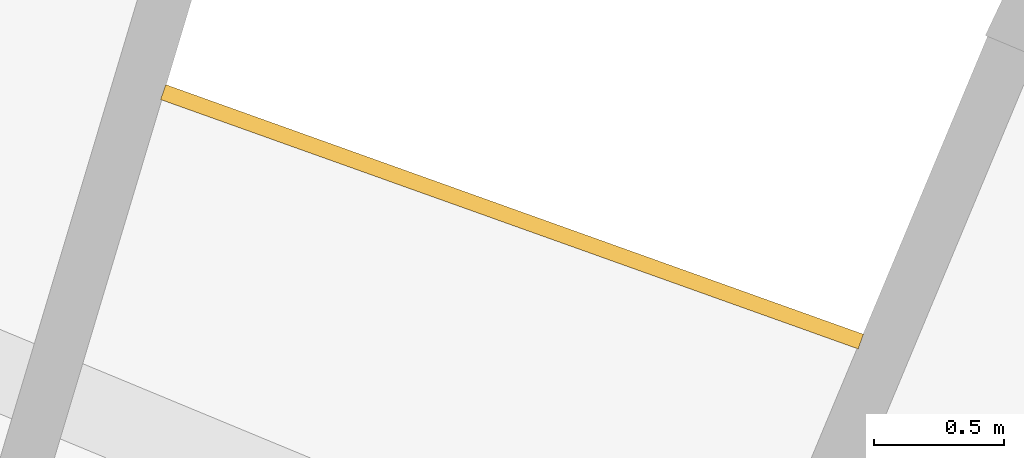
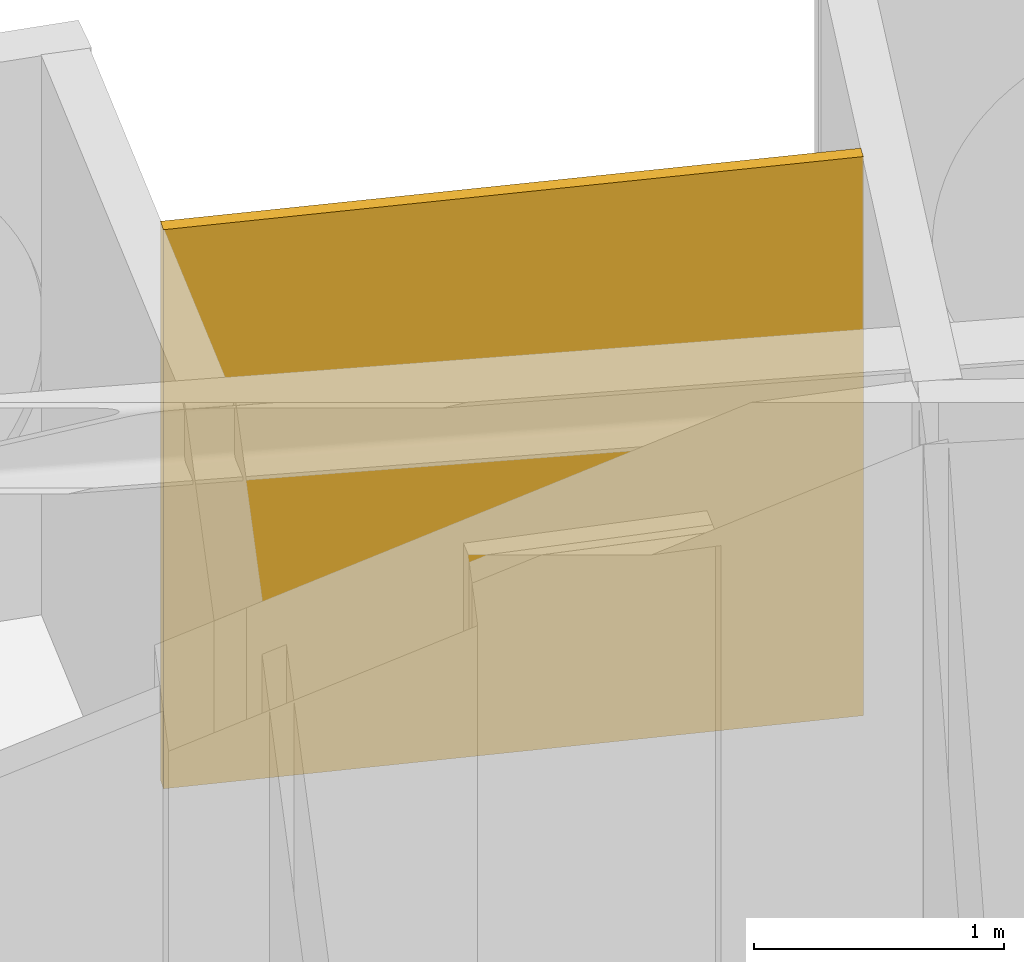
# One storey, part 29 of 29: 1 railing.
"""IFC4 building model written with IfcOpenShell, lengths in metres."""

from ifc_helpers import new_model, si_unit, direction, frame, origin, place, context, subcontext, project, spatial, polyline, outline, extrude, material, layer, layer_set, type_object, element, save


model = new_model("IFC4")

# Units and contexts
model_context = context("Model", 3, precision=1e-05, world=origin(), true_north=direction((0.0, 1.0)))
body_context = subcontext(model_context, "Body", "Model", "MODEL_VIEW")
ifc_project = project(units=[si_unit("LENGTHUNIT", "METRE"), si_unit("AREAUNIT", "SQUARE_METRE"), si_unit("VOLUMEUNIT", "CUBIC_METRE"), si_unit("PLANEANGLEUNIT", "RADIAN"), si_unit("MASSUNIT", "GRAM", prefix="KILO")], contexts=[model_context])

# Site, building, storey
site_placement = place(None, origin())
site = spatial("IfcSite", under=ifc_project, at=site_placement, CompositionType="ELEMENT")
building_placement = place(site_placement, origin())
building = spatial("IfcBuilding", under=site, at=building_placement, Name="Maasbend Ring Residences", CompositionType="ELEMENT")
storey_placement = place(building_placement, frame((0.0, 0.0, 193.25)))
storey = spatial("IfcBuildingStorey", under=building, at=storey_placement, Name="L55", CompositionType="ELEMENT", Elevation=193.25)

# Railing
ifc_material = material(Name="Pale anodised perforated aluminium", Category="aluminium")
ifc_layer = layer(ifc_material, 0.06005859375)
ifc_layer_set = layer_set([ifc_layer], Name="SCREEN-P")
railing_type = type_object("IfcRailingType", Name="SCREEN-P", PredefinedType="GUARDRAIL", material=ifc_layer_set)
railing_placement = place(storey_placement, frame((0.0, 0.0, -0.030029296875)))
element("IfcRailing", 1, at=railing_placement, inside=storey, type_object=railing_type, Name="Perforated screen guard 4", PredefinedType="GUARDRAIL", context=body_context, shape_type="SweptSolid", body=[
    extrude(outline(polyline([(11.097900390625, 26.79296875), (8.41796875, 27.7509765625), (8.43798828125, 27.80810546875), (11.117919921875, 26.84912109375), (11.097900390625, 26.79296875)])), origin(), (0.0, 0.0, 1.0), 2.72998046875),
])

save(model, "model.ifc")
